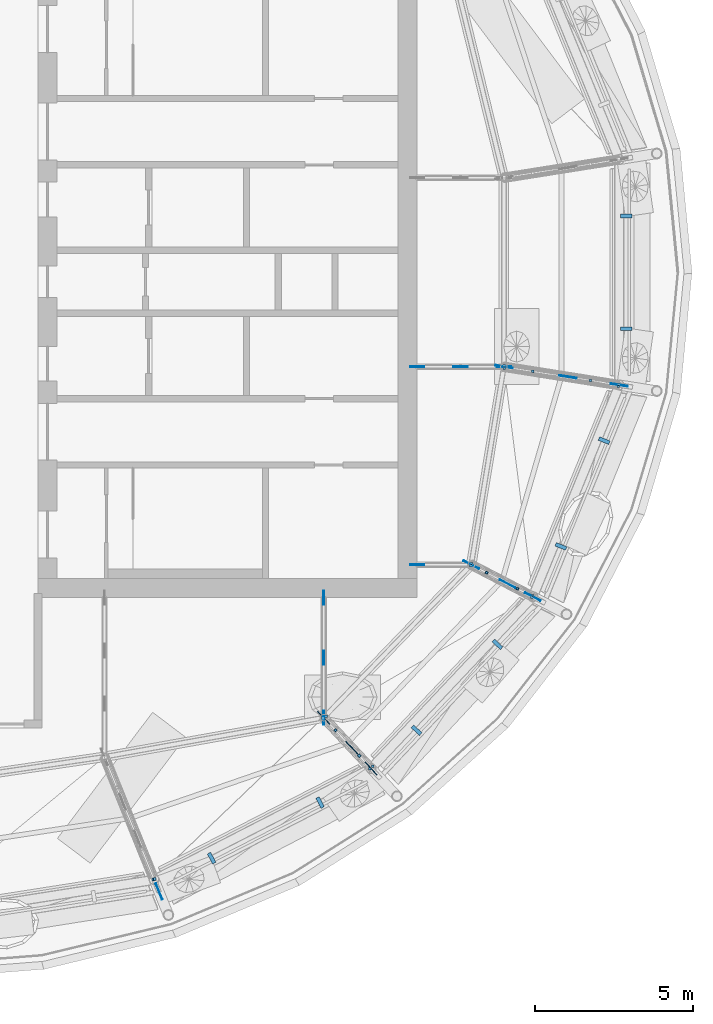
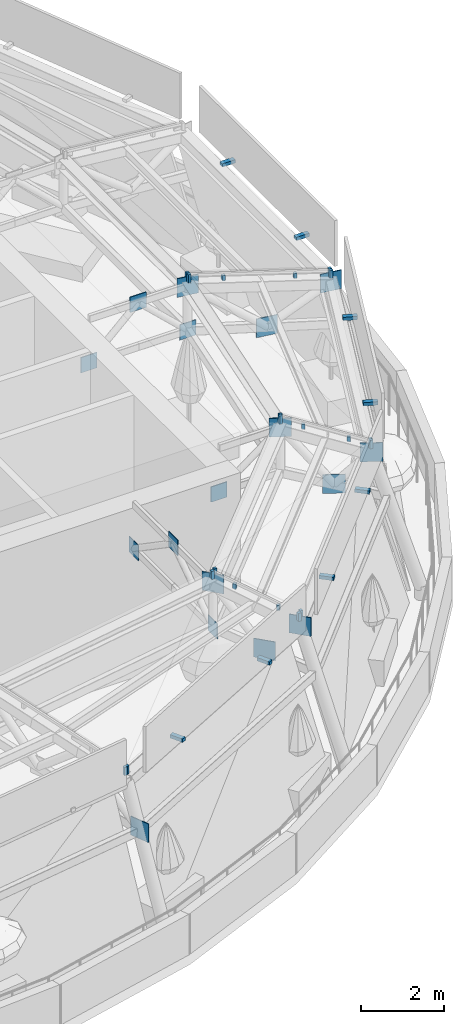
# One storey, part 24 of 40: 45 discrete accessories.
"""IFC4 building model written with IfcOpenShell, lengths in metres."""

import ifcopenshell
import ifcopenshell.guid

model = None  # the IFC model being written
_history = None  # IfcOwnerHistory: only IFC2X3 demands one
_inside = {}  # id of a spatial element -> (the spatial element, [elements in it])
_under = {}  # id of a project, library or spatial element -> (it, [spatial elements below it])
_declared = {}  # id of a project -> (the project, [libraries it declares])
_typed = {}  # id of a type object -> (the type object, [elements of that type])
_made_of = {}  # id of a material, layer set ... -> (it, [elements and type objects made of it])


def new_model(schema):
    """Start an empty IFC model of exactly this schema.

    Asked for "IFC4X3", IfcOpenShell would pick the latest addendum, in which some entities
    have other attributes; the version numbers below select the first issue.
    IFC2X3 requires an IfcOwnerHistory on every rooted entity: one is made here for all.
    """
    global model, _history
    if schema == "IFC4X3":
        model = ifcopenshell.file(schema_version=(4, 3, 0, 0))
    else:
        model = ifcopenshell.file(schema=schema)
    _inside.clear()
    _under.clear()
    _declared.clear()
    _typed.clear()
    _made_of.clear()
    _history = None
    if model.schema == "IFC2X3":
        org = make("IfcOrganization", Name="unknown")
        user = make(
            "IfcPersonAndOrganization",
            ThePerson=make("IfcPerson", FamilyName="unknown"),
            TheOrganization=org,
        )
        app = make(
            "IfcApplication",
            ApplicationDeveloper=org,
            Version="unknown",
            ApplicationFullName="unknown",
            ApplicationIdentifier="unknown",
        )
        _history = make(
            "IfcOwnerHistory",
            OwningUser=user,
            OwningApplication=app,
            ChangeAction="ADDED",
            CreationDate=0,
        )
    return model


def make(cls, **values):
    """One entity of the class cls with the attributes given. An attribute that is None is left unset."""
    return model.create_entity(
        cls, **{name: value for name, value in values.items() if value is not None}
    )


def rooted(cls, **values):
    """An entity with a GlobalId (a new one), such as an element, a storey or a relation."""
    return make(cls, GlobalId=ifcopenshell.guid.new(), OwnerHistory=_history, **values)


def si_unit(unit_type, name, prefix=None):
    """IfcSIUnit, for example si_unit("LENGTHUNIT", "METRE", prefix="MILLI")."""
    return make("IfcSIUnit", UnitType=unit_type, Prefix=prefix, Name=name)


def assignment(units):
    """IfcUnitAssignment: the units of a project."""
    return None if units is None else make("IfcUnitAssignment", Units=units)


def point(xyz):
    """IfcCartesianPoint."""
    return None if xyz is None else make("IfcCartesianPoint", Coordinates=xyz)


def direction(xyz):
    """IfcDirection."""
    return None if xyz is None else make("IfcDirection", DirectionRatios=xyz)


def frame(location, z_axis=None, x_axis=None):
    """IfcAxis2Placement3D, a coordinate frame: its origin and axes. An axis left out is left unset."""
    return make(
        "IfcAxis2Placement3D",
        Location=point(location),
        Axis=direction(z_axis),
        RefDirection=direction(x_axis),
    )


def frame_2d(location, x_axis=None):
    """IfcAxis2Placement2D, a coordinate frame in the plane: its origin and x axis."""
    return make(
        "IfcAxis2Placement2D", Location=point(location), RefDirection=direction(x_axis)
    )


def origin():
    """The frame at (0, 0, 0) with its axes left unset."""
    return frame((0.0, 0.0, 0.0))


def origin_2d():
    """The frame at (0, 0) in the plane with its x axis left unset."""
    return frame_2d((0.0, 0.0))


def place(relative_to, where):
    """IfcLocalPlacement: puts the frame where relative to a parent placement (None: the world)."""
    return make(
        "IfcLocalPlacement", PlacementRelTo=relative_to, RelativePlacement=where
    )


def context(
    kind, dimensions, precision=None, world=None, true_north=None, identifier=None
):
    """IfcGeometricRepresentationContext, for example the 3D "Model" context."""
    return make(
        "IfcGeometricRepresentationContext",
        ContextIdentifier=identifier,
        ContextType=kind,
        CoordinateSpaceDimension=dimensions,
        Precision=precision,
        WorldCoordinateSystem=world,
        TrueNorth=true_north,
    )


def subcontext(parent, identifier, kind, view, scale=None):
    """IfcGeometricRepresentationSubContext, for example "Body" below "Model"."""
    return make(
        "IfcGeometricRepresentationSubContext",
        ContextIdentifier=identifier,
        ContextType=kind,
        ParentContext=parent,
        TargetScale=scale,
        TargetView=view,
    )


def project(units=None, contexts=None):
    """IfcProject with its units and contexts."""
    return rooted(
        "IfcProject",
        Name="project",
        RepresentationContexts=contexts,
        UnitsInContext=assignment(units),
    )


def spatial(cls, under=None, at=None, **own):
    """A site, building, storey or space (cls), placed at a placement, below another one or the project."""
    s = rooted(cls, ObjectPlacement=at, **own)
    if under is not None:
        _under.setdefault(under.id(), (under, []))[1].append(s)
    return s


def profile(cls, at=None, kind="AREA", **sizes):
    """A parametric profile (cls). Its sizes go by their IFC names, for example OverallWidth=200.0."""
    return make(cls, ProfileType=kind, Position=at, **sizes)


def rectangle(**sizes):
    """IfcRectangleProfileDef."""
    return profile("IfcRectangleProfileDef", **sizes)


def extrude(swept, where, along, depth):
    """IfcExtrudedAreaSolid: the profile swept, set in the frame where, extruded along a direction by depth."""
    return make(
        "IfcExtrudedAreaSolid",
        SweptArea=swept,
        Position=where,
        ExtrudedDirection=direction(along),
        Depth=depth,
    )


def shape(context_of_items, identifier, shape_type, items):
    """IfcShapeRepresentation: the items that make up one representation, for example the "Body"."""
    return make(
        "IfcShapeRepresentation",
        ContextOfItems=context_of_items,
        RepresentationIdentifier=identifier,
        RepresentationType=shape_type,
        Items=items,
    )


def material(Name=None, Category=None):
    """IfcMaterial."""
    return make("IfcMaterial", Name=Name, Category=Category)


def made_of(thing, what):
    """Note that an element or type object is made of a material, layer set ...; save() writes the relation."""
    if what is not None:
        _made_of.setdefault(what.id(), (what, []))[1].append(thing)
    return thing


def type_object(cls, material=None, **own):
    """A type object (cls), such as IfcWallType, which elements share."""
    return made_of(rooted(cls, **own), material)


def element(
    cls,
    number,
    at=None,
    inside=None,
    cuts=None,
    type_object=None,
    material=None,
    context=None,
    identifier="Body",
    shape_type=None,
    held_by="IfcProductDefinitionShape",
    body=None,
    shapes=None,
    **own,
):
    """One element of the class cls, such as IfcWall. Its Tag is "e" and its number.

    at: its placement. inside: the storey or other place that contains it. cuts: it is an
    opening in that element (IfcRelVoidsElement). A single representation is given by context,
    identifier, shape_type and body (its items); several are given by shapes. held_by: the class
    of the entity that holds the representations. save() writes the other relations.
    """
    e = rooted(cls, Tag="e%d" % number, ObjectPlacement=at, **own)
    if body is not None:
        shapes = [shape(context, identifier, shape_type, body)]
    if shapes is not None:
        e.Representation = make(held_by, Representations=shapes)
    if inside is not None:
        _inside.setdefault(inside.id(), (inside, []))[1].append(e)
    if cuts is not None:
        rooted(
            "IfcRelVoidsElement", RelatingBuildingElement=cuts, RelatedOpeningElement=e
        )
    if type_object is not None:
        _typed.setdefault(type_object.id(), (type_object, []))[1].append(e)
    return made_of(e, material)


def aggregate(whole, parts):
    """IfcRelAggregates: a whole, such as a stair, and the parts it consists of."""
    return rooted("IfcRelAggregates", RelatingObject=whole, RelatedObjects=parts)


def save(model, path):
    """Write the relations noted so far, then the file.

    IfcRelAggregates (storeys below a building ...), IfcRelContainedInSpatialStructure (elements
    in a storey), IfcRelDefinesByType, IfcRelAssociatesMaterial and IfcRelDeclares: one each for
    every whole, place, type object, material and project.
    """
    for whole, parts in _under.values():
        aggregate(whole, parts)
    for where, things in _inside.values():
        rooted(
            "IfcRelContainedInSpatialStructure",
            RelatedElements=things,
            RelatingStructure=where,
        )
    for kind, things in _typed.values():
        rooted("IfcRelDefinesByType", RelatedObjects=things, RelatingType=kind)
    for what, things in _made_of.values():
        rooted("IfcRelAssociatesMaterial", RelatedObjects=things, RelatingMaterial=what)
    for by, libraries in _declared.values():
        rooted("IfcRelDeclares", RelatingContext=by, RelatedDefinitions=libraries)
    model.write(path)


model = new_model("IFC4")

# Units and contexts
model_context = context("Model", 3, precision=1e-05, world=origin(), true_north=direction((0.0, 1.0)))
body_context = subcontext(model_context, "Body", "Model", "MODEL_VIEW")
ifc_project = project(units=[si_unit("LENGTHUNIT", "METRE"), si_unit("AREAUNIT", "SQUARE_METRE"), si_unit("VOLUMEUNIT", "CUBIC_METRE"), si_unit("PLANEANGLEUNIT", "RADIAN"), si_unit("MASSUNIT", "GRAM", prefix="KILO")], contexts=[model_context])

# Site, building, storey
site_placement = place(None, origin())
site = spatial("IfcSite", under=ifc_project, at=site_placement, CompositionType="ELEMENT")
building_placement = place(site_placement, origin())
building = spatial("IfcBuilding", under=site, at=building_placement, Name="Taillehof Tower", CompositionType="ELEMENT")
storey_placement = place(building_placement, frame((0.0, 0.0, 275.199951171875)))
storey = spatial("IfcBuildingStorey", under=building, at=storey_placement, Name="L77", CompositionType="ELEMENT", Elevation=275.199951171875)

# Discrete accessories
ifc_material_1 = material(Name="Steel S460M", Category="steel")
discrete_accessory_type_1 = type_object("IfcDiscreteAccessoryType", Name="Steel bracket", PredefinedType="BRACKET", material=ifc_material_1)
for number, where, z_axis, x_axis, name in (
    (1, (7.642822265625, -18.9208984375, 4.443359375), (0.0, 0.0, 1.0), (1.0, 0.0, 0.0), "Canopy glazing seat"),
    (2, (7.698486328125, -18.9052734375, 4.44482421875), (0.0, 0.0, 1.0), (1.0, 0.0, 0.0), "Canopy glazing seat"),
    (3, (14.506103515625, -15.41015625, 4.44482421875), (0.0, 0.0, 1.0), (1.0, 0.0, 0.0), "Canopy glazing seat"),
    (4, (13.0126953125, -13.81884765625, 5.23779296875), (0.0, 0.0, 1.0), (1.0, 0.0, 0.0), "Canopy glazing seat"),
):
    element("IfcDiscreteAccessory", number, at=place(storey_placement, frame(where, z_axis=z_axis, x_axis=x_axis)), inside=storey, type_object=discrete_accessory_type_1, Name=name, PredefinedType="BRACKET", context=body_context, shape_type="SweptSolid", body=[
        extrude(rectangle(XDim=0.080078125, YDim=0.080078125, at=origin_2d()), origin(), (0.0, 0.0, 1.0), 0.243408203125),
    ])
for number, where, z_axis, x_axis, name in (
    (5, (14.166015625, -15.004638671875, 4.639892578125), (0.0, 0.0, 1.0), (-0.681897513792, 0.73144772929, 0.0), "Canopy glazing seat"),
    (6, (13.416015625, -14.2001953125, 5.0400390625), (0.0, 0.0, 1.0), (-0.681897513792, 0.73144772929, 0.0), "Canopy glazing seat"),
):
    element("IfcDiscreteAccessory", number, at=place(storey_placement, frame(where, z_axis=z_axis, x_axis=x_axis)), inside=storey, type_object=discrete_accessory_type_1, Name=name, PredefinedType="BRACKET", context=body_context, shape_type="SweptSolid", body=[
        extrude(rectangle(XDim=0.080078125, YDim=0.080078125, at=origin_2d()), origin(), (0.0, 0.0, 1.0), 0.1513671875),
    ])
discrete_accessory_1_placement = place(storey_placement, frame((14.594482421875, -15.335693359375, 4.44580078125), z_axis=(0.0, 0.0, 1.0), x_axis=(1.0, 0.0, 0.0)))
element("IfcDiscreteAccessory", 7, at=discrete_accessory_1_placement, inside=storey, type_object=discrete_accessory_type_1, Name="Canopy glazing seat", PredefinedType="BRACKET", context=body_context, shape_type="SweptSolid", body=[
    extrude(rectangle(XDim=0.080078125, YDim=0.080078125, at=origin_2d()), origin(), (0.0, 0.0, 1.0), 0.2412109375),
])
discrete_accessory_2_placement = place(storey_placement, frame((19.633056640625, -9.989990234375, 4.443359375), z_axis=(0.0, 0.0, 1.0), x_axis=(1.0, 0.0, 0.0)))
element("IfcDiscreteAccessory", 8, at=discrete_accessory_2_placement, inside=storey, type_object=discrete_accessory_type_1, Name="Canopy glazing seat", PredefinedType="BRACKET", context=body_context, shape_type="SweptSolid", body=[
    extrude(rectangle(XDim=0.080078125, YDim=0.080078125, at=origin_2d()), origin(), (0.0, 0.0, 1.0), 0.243408203125),
])
discrete_accessory_3_placement = place(storey_placement, frame((13.12060546875, -13.7529296875, 5.232421875), z_axis=(0.0, 0.0, 1.0), x_axis=(1.0, 0.0, 0.0)))
element("IfcDiscreteAccessory", 9, at=discrete_accessory_3_placement, inside=storey, type_object=discrete_accessory_type_1, Name="Canopy glazing seat", PredefinedType="BRACKET", context=body_context, shape_type="SweptSolid", body=[
    extrude(rectangle(XDim=0.080078125, YDim=0.080078125, at=origin_2d()), origin(), (0.0, 0.0, 1.0), 0.2412109375),
])
discrete_accessory_4_placement = place(storey_placement, frame((17.69580078125, -8.988525390625, 5.23583984375), z_axis=(0.0, 0.0, 1.0), x_axis=(1.0, 0.0, 0.0)))
element("IfcDiscreteAccessory", 10, at=discrete_accessory_4_placement, inside=storey, type_object=discrete_accessory_type_1, Name="Canopy glazing seat", PredefinedType="BRACKET", context=body_context, shape_type="SweptSolid", body=[
    extrude(rectangle(XDim=0.080078125, YDim=0.080078125, at=origin_2d()), origin(), (0.0, 0.0, 1.0), 0.243408203125),
])
for number, where, z_axis, x_axis, name in (
    (11, (19.175048828125, -9.71826171875, 4.639892578125), (0.0, 0.0, 1.0), (-0.887224302688, 0.461338310484, 0.0), "Canopy glazing seat"),
    (12, (18.198974609375, -9.210693359375, 5.0400390625), (0.0, 0.0, 1.0), (-0.887224302688, 0.461338310484, 0.0), "Canopy glazing seat"),
):
    element("IfcDiscreteAccessory", number, at=place(storey_placement, frame(where, z_axis=z_axis, x_axis=x_axis)), inside=storey, type_object=discrete_accessory_type_1, Name=name, PredefinedType="BRACKET", context=body_context, shape_type="SweptSolid", body=[
        extrude(rectangle(XDim=0.080078125, YDim=0.080078125, at=origin_2d()), origin(), (0.0, 0.0, 1.0), 0.1513671875),
    ])
discrete_accessory_5_placement = place(storey_placement, frame((19.66259765625, -9.93701171875, 4.44287109375), z_axis=(0.0, 0.0, 1.0), x_axis=(1.0, 0.0, 0.0)))
element("IfcDiscreteAccessory", 13, at=discrete_accessory_5_placement, inside=storey, type_object=discrete_accessory_type_1, Name="Canopy glazing seat", PredefinedType="BRACKET", context=body_context, shape_type="SweptSolid", body=[
    extrude(rectangle(XDim=0.080078125, YDim=0.080078125, at=origin_2d()), origin(), (0.0, 0.0, 1.0), 0.243408203125),
])
for number, where, z_axis, x_axis, name in (
    (14, (22.369140625, -3.310791015625, 4.44482421875), (0.0, 0.0, 1.0), (1.0, 0.0, 0.0), "Canopy glazing seat"),
    (15, (18.755615234375, -2.740478515625, 5.23583984375), (0.0, 0.0, 1.0), (1.0, 0.0, 0.0), "Canopy glazing seat"),
):
    element("IfcDiscreteAccessory", number, at=place(storey_placement, frame(where, z_axis=z_axis, x_axis=x_axis)), inside=storey, type_object=discrete_accessory_type_1, Name=name, PredefinedType="BRACKET", context=body_context, shape_type="SweptSolid", body=[
        extrude(rectangle(XDim=0.080078125, YDim=0.080078125, at=origin_2d()), origin(), (0.0, 0.0, 1.0), 0.240966796875),
    ])
discrete_accessory_6_placement = place(storey_placement, frame((17.731201171875, -8.92822265625, 5.234375), z_axis=(0.0, 0.0, 1.0), x_axis=(1.0, 0.0, 0.0)))
element("IfcDiscreteAccessory", 16, at=discrete_accessory_6_placement, inside=storey, type_object=discrete_accessory_type_1, Name="Canopy glazing seat", PredefinedType="BRACKET", context=body_context, shape_type="SweptSolid", body=[
    extrude(rectangle(XDim=0.080078125, YDim=0.080078125, at=origin_2d()), origin(), (0.0, 0.0, 1.0), 0.243408203125),
])
for number, where, z_axis, x_axis, name in (
    (17, (21.485595703125, -3.1259765625, 4.639892578125), (0.0, 0.0, 1.0), (-0.987635589839, 0.15676715754, 0.0), "Canopy glazing seat"),
    (18, (19.658447265625, -2.8359375, 5.0400390625), (0.0, 0.0, 1.0), (-0.987635589839, 0.15676715754, 0.0), "Canopy glazing seat"),
):
    element("IfcDiscreteAccessory", number, at=place(storey_placement, frame(where, z_axis=z_axis, x_axis=x_axis)), inside=storey, type_object=discrete_accessory_type_1, Name=name, PredefinedType="BRACKET", context=body_context, shape_type="SweptSolid", body=[
        extrude(rectangle(XDim=0.080078125, YDim=0.080078125, at=origin_2d()), origin(), (0.0, 0.0, 1.0), 0.1513671875),
    ])
for number, where, z_axis, x_axis, name in (
    (19, (22.383056640625, -3.23974609375, 4.443359375), (0.0, 0.0, 1.0), (1.0, 0.0, 0.0), "Canopy glazing seat"),
    (20, (18.76318359375, -2.6611328125, 5.234375), (0.0, 0.0, 1.0), (1.0, 0.0, 0.0), "Canopy glazing seat"),
):
    element("IfcDiscreteAccessory", number, at=place(storey_placement, frame(where, z_axis=z_axis, x_axis=x_axis)), inside=storey, type_object=discrete_accessory_type_1, Name=name, PredefinedType="BRACKET", context=body_context, shape_type="SweptSolid", body=[
        extrude(rectangle(XDim=0.080078125, YDim=0.080078125, at=origin_2d()), origin(), (0.0, 0.0, 1.0), 0.243408203125),
    ])
for number, where, z_axis, x_axis, name in (
    (21, (9.49365234375, -18.24609375, 4.429931640625), (0.0, 0.0, 1.0), (0.46114473719, -0.887324929979, 0.0), "Crown fascia bracket"),
    (22, (12.92626953125, -16.4833984375, 4.429931640625), (0.0, 0.0, 1.0), (0.46114473719, -0.887324929979, 0.0), "Crown fascia bracket"),
    (23, (15.982421875, -14.1982421875, 4.429931640625), (0.0, 0.0, 1.0), (0.731498903064, -0.681842617336, 0.0), "Crown fascia bracket"),
    (24, (18.54345703125, -11.480712890625, 4.429931640625), (0.0, 0.0, 1.0), (0.731498903064, -0.681842617336, 0.0), "Crown fascia bracket"),
    (25, (20.551025390625, -8.379150390625, 4.429931640625), (0.0, 0.0, 1.0), (0.927085751017, -0.374849316741, 0.0), "Crown fascia bracket"),
    (26, (21.9189453125, -5.02880859375, 4.429931640625), (0.0, 0.0, 1.0), (0.927085751017, -0.374849316741, 0.0), "Crown fascia bracket"),
    (27, (22.618896484375, -1.485595703125, 4.429931640625), (0.0, 0.0, 1.0), (1.0, 0.0, 0.0), "Crown fascia bracket"),
    (28, (22.618896484375, 2.08544921875, 4.429931640625), (0.0, 0.0, 1.0), (1.0, 0.0, 0.0), "Crown fascia bracket"),
):
    element("IfcDiscreteAccessory", number, at=place(storey_placement, frame(where, z_axis=z_axis, x_axis=x_axis)), inside=storey, type_object=discrete_accessory_type_1, Name=name, PredefinedType="BRACKET", context=body_context, shape_type="SweptSolid", body=[
        extrude(rectangle(XDim=0.360107421875, YDim=0.1201171875, at=origin_2d()), origin(), (0.0, 0.0, 1.0), 0.10009765625),
    ])
ifc_material_2 = material(Name="Steel S460M", Category="steel")
discrete_accessory_type_2 = type_object("IfcDiscreteAccessoryType", Name="Steel gusset plate", PredefinedType="BRACKET", material=ifc_material_2)
discrete_accessory_7_placement = place(storey_placement, frame((7.830078125, -19.300048828125, 2.72509765625), z_axis=(0.0, 0.0, 1.0), x_axis=(-0.374839608301, 0.927089676379, 0.0)))
element("IfcDiscreteAccessory", 29, at=discrete_accessory_7_placement, inside=storey, type_object=discrete_accessory_type_2, Name="Gusset plate 395", PredefinedType="BRACKET", context=body_context, shape_type="SweptSolid", body=[
    extrude(rectangle(XDim=0.550048828125, YDim=0.02490234375, at=origin_2d()), origin(), (0.0, 0.0, 1.0), 0.550048828125),
])
discrete_accessory_8_placement = place(storey_placement, frame((13.0400390625, -13.800048828125, 3.5751953125), z_axis=(0.0, 0.0, 1.0), x_axis=(0.0, 1.0, 0.0)))
element("IfcDiscreteAccessory", 30, at=discrete_accessory_8_placement, inside=storey, type_object=discrete_accessory_type_2, Name="Gusset plate 401", PredefinedType="BRACKET", context=body_context, shape_type="SweptSolid", body=[
    extrude(rectangle(XDim=0.449951171875, YDim=0.02490234375, at=origin_2d()), origin(), (0.0, 0.0, 1.0), 0.449951171875),
])
discrete_accessory_9_placement = place(storey_placement, frame((13.0400390625, -13.800048828125, 4.8251953125), z_axis=(0.0, 0.0, 1.0), x_axis=(-0.681843894041, 0.731497713023, 0.0)))
element("IfcDiscreteAccessory", 31, at=discrete_accessory_9_placement, inside=storey, type_object=discrete_accessory_type_2, Name="Gusset plate 402", PredefinedType="BRACKET", context=body_context, shape_type="SweptSolid", body=[
    extrude(rectangle(XDim=0.550048828125, YDim=0.02490234375, at=origin_2d()), origin(), (0.0, 0.0, 1.0), 0.550048828125),
])
for number, where, z_axis, x_axis, name in (
    (32, (13.0400390625, -11.89990234375, 4.875), (0.0, 0.0, 1.0), (0.0, 1.0, 0.0), "Gusset plate 403"),
    (33, (13.0400390625, -10.0, 3.5751953125), (0.0, 0.0, 1.0), (0.0, 1.0, 0.0), "Gusset plate 404"),
):
    element("IfcDiscreteAccessory", number, at=place(storey_placement, frame(where, z_axis=z_axis, x_axis=x_axis)), inside=storey, type_object=discrete_accessory_type_2, Name=name, PredefinedType="BRACKET", context=body_context, shape_type="SweptSolid", body=[
        extrude(rectangle(XDim=0.449951171875, YDim=0.02490234375, at=origin_2d()), origin(), (0.0, 0.0, 1.0), 0.449951171875),
    ])
for number, where, z_axis, x_axis, name in (
    (34, (13.929931640625, -14.75, 3.125), (0.0, 0.0, 1.0), (-0.681842617336, 0.731498903064, 0.0), "Gusset plate 406"),
    (35, (14.5400390625, -15.409912109375, 4.02490234375), (0.0, 0.0, 1.0), (-0.681842617336, 0.731498903064, 0.0), "Gusset plate 407"),
):
    element("IfcDiscreteAccessory", number, at=place(storey_placement, frame(where, z_axis=z_axis, x_axis=x_axis)), inside=storey, type_object=discrete_accessory_type_2, Name=name, PredefinedType="BRACKET", context=body_context, shape_type="SweptSolid", body=[
        extrude(rectangle(XDim=0.550048828125, YDim=0.02490234375, at=origin_2d()), origin(), (0.0, 0.0, 1.0), 0.550048828125),
    ])
for number, where, z_axis, x_axis, name in (
    (36, (16.0, -8.9599609375, 3.5751953125), (0.0, 0.0, 1.0), (-1.0, 0.0, 0.0), "Gusset plate 409"),
    (37, (16.0, -2.68994140625, 3.5751953125), (0.0, 0.0, 1.0), (-1.0, 0.0, 0.0), "Gusset plate 410"),
    (38, (17.3701171875, -2.68994140625, 4.875), (0.0, 0.0, 1.0), (-1.0, 0.0, 0.0), "Gusset plate 414"),
):
    element("IfcDiscreteAccessory", number, at=place(storey_placement, frame(where, z_axis=z_axis, x_axis=x_axis)), inside=storey, type_object=discrete_accessory_type_2, Name=name, PredefinedType="BRACKET", context=body_context, shape_type="SweptSolid", body=[
        extrude(rectangle(XDim=0.449951171875, YDim=0.02490234375, at=origin_2d()), origin(), (0.0, 0.0, 1.0), 0.449951171875),
    ])
discrete_accessory_10_placement = place(storey_placement, frame((17.7099609375, -8.9599609375, 4.8251953125), z_axis=(0.0, 0.0, 1.0), x_axis=(-0.887311247148, 0.461171064448, 0.0)))
element("IfcDiscreteAccessory", 39, at=discrete_accessory_10_placement, inside=storey, type_object=discrete_accessory_type_2, Name="Gusset plate 416", PredefinedType="BRACKET", context=body_context, shape_type="SweptSolid", body=[
    extrude(rectangle(XDim=0.550048828125, YDim=0.02490234375, at=origin_2d()), origin(), (0.0, 0.0, 1.0), 0.550048828125),
])
discrete_accessory_11_placement = place(storey_placement, frame((18.75, -2.68994140625, 3.5751953125), z_axis=(0.0, 0.0, 1.0), x_axis=(-1.0, 0.0, 0.0)))
element("IfcDiscreteAccessory", 40, at=discrete_accessory_11_placement, inside=storey, type_object=discrete_accessory_type_2, Name="Gusset plate 418", PredefinedType="BRACKET", context=body_context, shape_type="SweptSolid", body=[
    extrude(rectangle(XDim=0.449951171875, YDim=0.02490234375, at=origin_2d()), origin(), (0.0, 0.0, 1.0), 0.449951171875),
])
for number, where, z_axis, x_axis, name in (
    (41, (18.75, -2.68994140625, 4.8251953125), (0.0, 0.0, 1.0), (-0.987635863448, 0.15676543379, 0.0), "Gusset plate 419"),
    (42, (18.860107421875, -9.56005859375, 3.125), (0.0, 0.0, 1.0), (-0.887315271591, 0.461163321179, 0.0), "Gusset plate 422"),
    (43, (19.659912109375, -9.969970703125, 4.02490234375), (0.0, 0.0, 1.0), (-0.887315271591, 0.461163321179, 0.0), "Gusset plate 423"),
    (44, (20.77001953125, -3.010009765625, 3.125), (0.0, 0.0, 1.0), (-0.987635042612, 0.156770605038, 0.0), "Gusset plate 425"),
    (45, (22.39990234375, -3.27001953125, 4.02490234375), (0.0, 0.0, 1.0), (-0.987635042612, 0.156770605038, 0.0), "Gusset plate 427"),
):
    element("IfcDiscreteAccessory", number, at=place(storey_placement, frame(where, z_axis=z_axis, x_axis=x_axis)), inside=storey, type_object=discrete_accessory_type_2, Name=name, PredefinedType="BRACKET", context=body_context, shape_type="SweptSolid", body=[
        extrude(rectangle(XDim=0.550048828125, YDim=0.02490234375, at=origin_2d()), origin(), (0.0, 0.0, 1.0), 0.550048828125),
    ])

save(model, "model.ifc")
